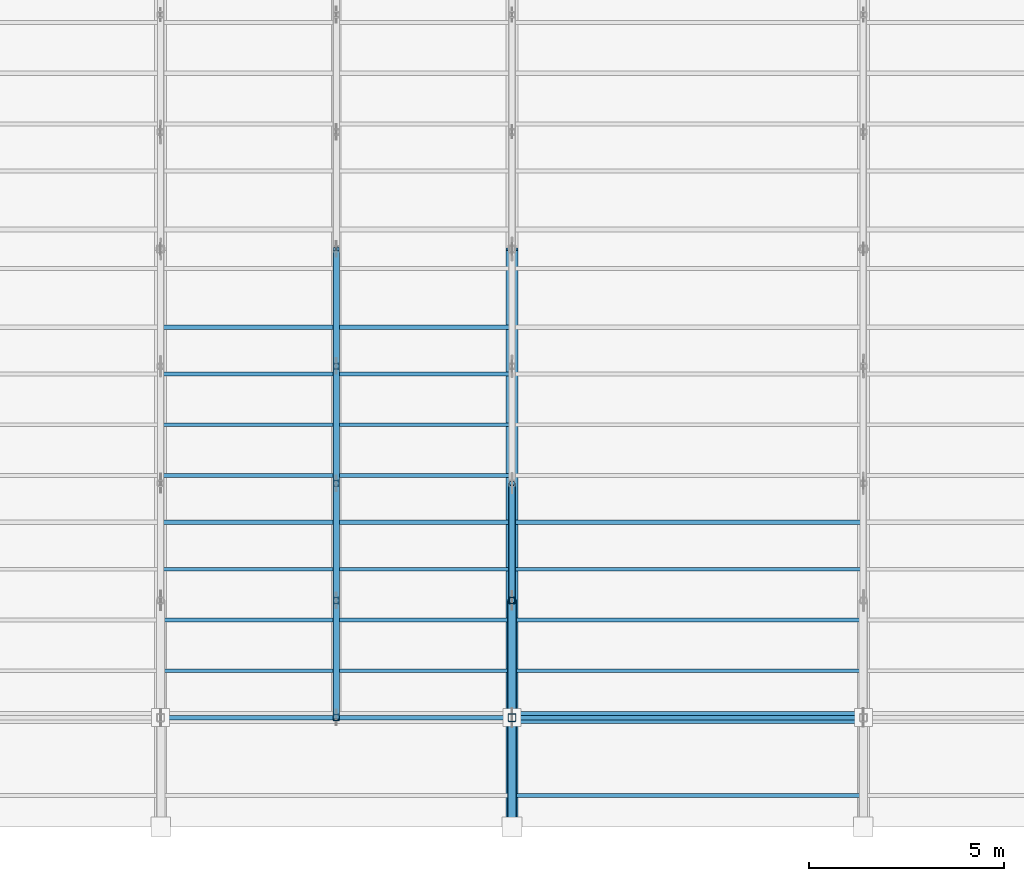
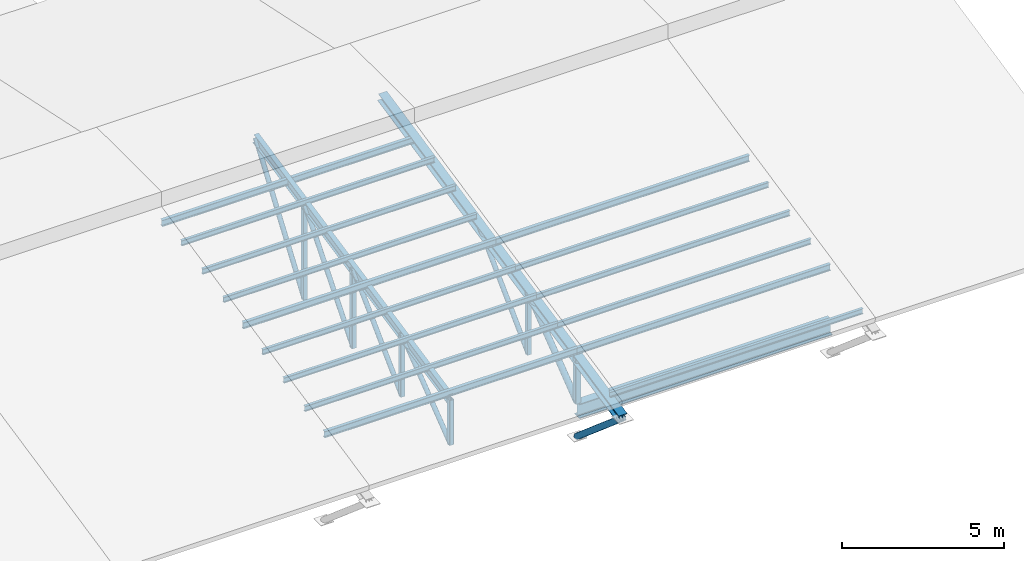
# One storey, part 21 of 43: 30 members, 1 beam.
"""IFC4 building model written with IfcOpenShell, lengths in metres."""

import ifcopenshell
import ifcopenshell.guid

model = None  # the IFC model being written
_history = None  # IfcOwnerHistory: only IFC2X3 demands one
_inside = {}  # id of a spatial element -> (the spatial element, [elements in it])
_under = {}  # id of a project, library or spatial element -> (it, [spatial elements below it])
_declared = {}  # id of a project -> (the project, [libraries it declares])
_typed = {}  # id of a type object -> (the type object, [elements of that type])
_made_of = {}  # id of a material, layer set ... -> (it, [elements and type objects made of it])


def new_model(schema):
    """Start an empty IFC model of exactly this schema.

    Asked for "IFC4X3", IfcOpenShell would pick the latest addendum, in which some entities
    have other attributes; the version numbers below select the first issue.
    IFC2X3 requires an IfcOwnerHistory on every rooted entity: one is made here for all.
    """
    global model, _history
    if schema == "IFC4X3":
        model = ifcopenshell.file(schema_version=(4, 3, 0, 0))
    else:
        model = ifcopenshell.file(schema=schema)
    _inside.clear()
    _under.clear()
    _declared.clear()
    _typed.clear()
    _made_of.clear()
    _history = None
    if model.schema == "IFC2X3":
        org = make("IfcOrganization", Name="unknown")
        user = make(
            "IfcPersonAndOrganization",
            ThePerson=make("IfcPerson", FamilyName="unknown"),
            TheOrganization=org,
        )
        app = make(
            "IfcApplication",
            ApplicationDeveloper=org,
            Version="unknown",
            ApplicationFullName="unknown",
            ApplicationIdentifier="unknown",
        )
        _history = make(
            "IfcOwnerHistory",
            OwningUser=user,
            OwningApplication=app,
            ChangeAction="ADDED",
            CreationDate=0,
        )
    return model


def make(cls, **values):
    """One entity of the class cls with the attributes given. An attribute that is None is left unset."""
    return model.create_entity(
        cls, **{name: value for name, value in values.items() if value is not None}
    )


def rooted(cls, **values):
    """An entity with a GlobalId (a new one), such as an element, a storey or a relation."""
    return make(cls, GlobalId=ifcopenshell.guid.new(), OwnerHistory=_history, **values)


def si_unit(unit_type, name, prefix=None):
    """IfcSIUnit, for example si_unit("LENGTHUNIT", "METRE", prefix="MILLI")."""
    return make("IfcSIUnit", UnitType=unit_type, Prefix=prefix, Name=name)


def assignment(units):
    """IfcUnitAssignment: the units of a project."""
    return None if units is None else make("IfcUnitAssignment", Units=units)


def point(xyz):
    """IfcCartesianPoint."""
    return None if xyz is None else make("IfcCartesianPoint", Coordinates=xyz)


def direction(xyz):
    """IfcDirection."""
    return None if xyz is None else make("IfcDirection", DirectionRatios=xyz)


def frame(location, z_axis=None, x_axis=None):
    """IfcAxis2Placement3D, a coordinate frame: its origin and axes. An axis left out is left unset."""
    return make(
        "IfcAxis2Placement3D",
        Location=point(location),
        Axis=direction(z_axis),
        RefDirection=direction(x_axis),
    )


def frame_2d(location, x_axis=None):
    """IfcAxis2Placement2D, a coordinate frame in the plane: its origin and x axis."""
    return make(
        "IfcAxis2Placement2D", Location=point(location), RefDirection=direction(x_axis)
    )


def origin():
    """The frame at (0, 0, 0) with its axes left unset."""
    return frame((0.0, 0.0, 0.0))


def origin_2d():
    """The frame at (0, 0) in the plane with its x axis left unset."""
    return frame_2d((0.0, 0.0))


def place(relative_to, where):
    """IfcLocalPlacement: puts the frame where relative to a parent placement (None: the world)."""
    return make(
        "IfcLocalPlacement", PlacementRelTo=relative_to, RelativePlacement=where
    )


def context(
    kind, dimensions, precision=None, world=None, true_north=None, identifier=None
):
    """IfcGeometricRepresentationContext, for example the 3D "Model" context."""
    return make(
        "IfcGeometricRepresentationContext",
        ContextIdentifier=identifier,
        ContextType=kind,
        CoordinateSpaceDimension=dimensions,
        Precision=precision,
        WorldCoordinateSystem=world,
        TrueNorth=true_north,
    )


def subcontext(parent, identifier, kind, view, scale=None):
    """IfcGeometricRepresentationSubContext, for example "Body" below "Model"."""
    return make(
        "IfcGeometricRepresentationSubContext",
        ContextIdentifier=identifier,
        ContextType=kind,
        ParentContext=parent,
        TargetScale=scale,
        TargetView=view,
    )


def project(units=None, contexts=None):
    """IfcProject with its units and contexts."""
    return rooted(
        "IfcProject",
        Name="project",
        RepresentationContexts=contexts,
        UnitsInContext=assignment(units),
    )


def spatial(cls, under=None, at=None, **own):
    """A site, building, storey or space (cls), placed at a placement, below another one or the project."""
    s = rooted(cls, ObjectPlacement=at, **own)
    if under is not None:
        _under.setdefault(under.id(), (under, []))[1].append(s)
    return s


def profile(cls, at=None, kind="AREA", **sizes):
    """A parametric profile (cls). Its sizes go by their IFC names, for example OverallWidth=200.0."""
    return make(cls, ProfileType=kind, Position=at, **sizes)


def hollow_rectangle(**sizes):
    """IfcRectangleHollowProfileDef."""
    return profile("IfcRectangleHollowProfileDef", **sizes)


def hollow_circle(**sizes):
    """IfcCircleHollowProfileDef."""
    return profile("IfcCircleHollowProfileDef", **sizes)


def i_section(**sizes):
    """IfcIShapeProfileDef."""
    return profile("IfcIShapeProfileDef", **sizes)


def extrude(swept, where, along, depth):
    """IfcExtrudedAreaSolid: the profile swept, set in the frame where, extruded along a direction by depth."""
    return make(
        "IfcExtrudedAreaSolid",
        SweptArea=swept,
        Position=where,
        ExtrudedDirection=direction(along),
        Depth=depth,
    )


def shape(context_of_items, identifier, shape_type, items):
    """IfcShapeRepresentation: the items that make up one representation, for example the "Body"."""
    return make(
        "IfcShapeRepresentation",
        ContextOfItems=context_of_items,
        RepresentationIdentifier=identifier,
        RepresentationType=shape_type,
        Items=items,
    )


def material(Name=None, Category=None):
    """IfcMaterial."""
    return make("IfcMaterial", Name=Name, Category=Category)


def material_profile(
    of_material, cross_section, Name=None, Category=None, Priority=None
):
    """IfcMaterialProfile: a cross section and its material."""
    return make(
        "IfcMaterialProfile",
        Name=Name,
        Material=of_material,
        Profile=cross_section,
        Priority=Priority,
        Category=Category,
    )


def profile_set(profiles, Name=None, composite=None):
    """IfcMaterialProfileSet."""
    return make(
        "IfcMaterialProfileSet",
        Name=Name,
        MaterialProfiles=profiles,
        CompositeProfile=composite,
    )


def made_of(thing, what):
    """Note that an element or type object is made of a material, layer set ...; save() writes the relation."""
    if what is not None:
        _made_of.setdefault(what.id(), (what, []))[1].append(thing)
    return thing


def type_object(cls, material=None, **own):
    """A type object (cls), such as IfcWallType, which elements share."""
    return made_of(rooted(cls, **own), material)


def element(
    cls,
    number,
    at=None,
    inside=None,
    cuts=None,
    type_object=None,
    material=None,
    context=None,
    identifier="Body",
    shape_type=None,
    held_by="IfcProductDefinitionShape",
    body=None,
    shapes=None,
    **own,
):
    """One element of the class cls, such as IfcWall. Its Tag is "e" and its number.

    at: its placement. inside: the storey or other place that contains it. cuts: it is an
    opening in that element (IfcRelVoidsElement). A single representation is given by context,
    identifier, shape_type and body (its items); several are given by shapes. held_by: the class
    of the entity that holds the representations. save() writes the other relations.
    """
    e = rooted(cls, Tag="e%d" % number, ObjectPlacement=at, **own)
    if body is not None:
        shapes = [shape(context, identifier, shape_type, body)]
    if shapes is not None:
        e.Representation = make(held_by, Representations=shapes)
    if inside is not None:
        _inside.setdefault(inside.id(), (inside, []))[1].append(e)
    if cuts is not None:
        rooted(
            "IfcRelVoidsElement", RelatingBuildingElement=cuts, RelatedOpeningElement=e
        )
    if type_object is not None:
        _typed.setdefault(type_object.id(), (type_object, []))[1].append(e)
    return made_of(e, material)


def aggregate(whole, parts):
    """IfcRelAggregates: a whole, such as a stair, and the parts it consists of."""
    return rooted("IfcRelAggregates", RelatingObject=whole, RelatedObjects=parts)


def save(model, path):
    """Write the relations noted so far, then the file.

    IfcRelAggregates (storeys below a building ...), IfcRelContainedInSpatialStructure (elements
    in a storey), IfcRelDefinesByType, IfcRelAssociatesMaterial and IfcRelDeclares: one each for
    every whole, place, type object, material and project.
    """
    for whole, parts in _under.values():
        aggregate(whole, parts)
    for where, things in _inside.values():
        rooted(
            "IfcRelContainedInSpatialStructure",
            RelatedElements=things,
            RelatingStructure=where,
        )
    for kind, things in _typed.values():
        rooted("IfcRelDefinesByType", RelatedObjects=things, RelatingType=kind)
    for what, things in _made_of.values():
        rooted("IfcRelAssociatesMaterial", RelatedObjects=things, RelatingMaterial=what)
    for by, libraries in _declared.values():
        rooted("IfcRelDeclares", RelatingContext=by, RelatedDefinitions=libraries)
    model.write(path)


model = new_model("IFC4")

# Units and contexts
model_context = context("Model", 3, precision=1e-05, world=origin(), true_north=direction((0.0, 1.0)))
body_context = subcontext(model_context, "Body", "Model", "MODEL_VIEW")
ifc_project = project(units=[si_unit("LENGTHUNIT", "METRE"), si_unit("AREAUNIT", "SQUARE_METRE"), si_unit("VOLUMEUNIT", "CUBIC_METRE"), si_unit("PLANEANGLEUNIT", "RADIAN"), si_unit("MASSUNIT", "GRAM", prefix="KILO")], contexts=[model_context])

# Site, building, storey
site_placement = place(None, origin())
site = spatial("IfcSite", under=ifc_project, at=site_placement, CompositionType="ELEMENT")
building_placement = place(site_placement, origin())
building = spatial("IfcBuilding", under=site, at=building_placement, Name="Serraforn Aerial Cableway Station", CompositionType="ELEMENT")
storey_placement = place(building_placement, frame((0.0, 0.0, 18.300048828125)))
storey = spatial("IfcBuildingStorey", under=building, at=storey_placement, Name="RF", CompositionType="ELEMENT", Elevation=18.300048828125)

# Beam
ifc_material_1 = material(Name="Steel S355J2", Category="steel")
ifc_material_profile_1 = material_profile(ifc_material_1, i_section(OverallWidth=0.300048828125, OverallDepth=0.550048828125, WebThickness=0.014892578125, FlangeThickness=0.029052734375, FilletRadius=0.027099609375, at=origin_2d()), Name="HEB 550")
ifc_profile_set_1 = profile_set([ifc_material_profile_1], Name="Steel S355J2")
beam_type = type_object("IfcBeamType", Name="BM-ST-HEB550", PredefinedType="USERDEFINED", material=ifc_profile_set_1)
beam_placement = place(storey_placement, frame((72.60009765625, 18.0, -1.625), z_axis=(1.0, 0.0, 0.0), x_axis=(0.0, 1.0, 0.0)))
element("IfcBeam", 1, at=beam_placement, inside=storey, type_object=beam_type, Name="Boarding Hall Eave Girder S-6", ObjectType="GIRDER", PredefinedType="USERDEFINED", context=body_context, shape_type="SweptSolid", body=[
    extrude(i_section(OverallWidth=0.300048828125, OverallDepth=0.550048828125, WebThickness=0.014892578125, FlangeThickness=0.029052734375, FilletRadius=0.027099609375, at=origin_2d()), origin(), (0.0, 0.0, 1.0), 9.0),
])

# Members
ifc_material_profile_2 = material_profile(ifc_material_1, hollow_circle(Radius=0.084228515625, WallThickness=0.008056640625, at=origin_2d()), Name="CHS 168.3x8.0")
ifc_profile_set_2 = profile_set([ifc_material_profile_2], Name="Steel S355J2")
member_type_1 = type_object("IfcMemberType", Name="MEM-DG-CHS168", PredefinedType="BRACE", material=ifc_profile_set_2)
member_1_placement = place(storey_placement, frame((72.60009765625, 21.0, -1.35009765625), z_axis=(0.0, 0.71294245933, 0.701222539344), x_axis=(-1.0, 0.0, 0.0)))
element("IfcMember", 2, at=member_1_placement, inside=storey, type_object=member_type_1, Name="Roof Truss TR-06 Diagonal 2", PredefinedType="BRACE", context=body_context, shape_type="SweptSolid", body=[
    extrude(hollow_circle(Radius=0.084228515625, WallThickness=0.008056640625, at=origin_2d()), origin(), (0.0, 0.0, 1.0), 4.2080078125),
])
member_2_placement = place(storey_placement, frame((68.10009765625, 18.0, -1.35009765625), z_axis=(0.0, 0.791947867333, 0.610588712168), x_axis=(-1.0, 0.0, 0.0)))
element("IfcMember", 3, at=member_2_placement, inside=storey, type_object=member_type_1, Name="Intermediate Truss TRM-05 Diagonal 1", PredefinedType="BRACE", context=body_context, shape_type="SweptSolid", body=[
    extrude(hollow_circle(Radius=0.084228515625, WallThickness=0.008056640625, at=origin_2d()), origin(), (0.0, 0.0, 1.0), 3.7880859375),
])
member_3_placement = place(storey_placement, frame((68.10009765625, 21.0, -1.35009765625), z_axis=(0.0, 0.71294245933, 0.701222539344), x_axis=(-1.0, 0.0, 0.0)))
element("IfcMember", 4, at=member_3_placement, inside=storey, type_object=member_type_1, Name="Intermediate Truss TRM-05 Diagonal 2", PredefinedType="BRACE", context=body_context, shape_type="SweptSolid", body=[
    extrude(hollow_circle(Radius=0.084228515625, WallThickness=0.008056640625, at=origin_2d()), origin(), (0.0, 0.0, 1.0), 4.2080078125),
])
member_4_placement = place(storey_placement, frame((68.10009765625, 24.0, -1.35009765625), z_axis=(0.0, 0.641405529785, 0.767202024477), x_axis=(-1.0, 0.0, 0.0)))
element("IfcMember", 5, at=member_4_placement, inside=storey, type_object=member_type_1, Name="Intermediate Truss TRM-05 Diagonal 3", PredefinedType="BRACE", context=body_context, shape_type="SweptSolid", body=[
    extrude(hollow_circle(Radius=0.084228515625, WallThickness=0.008056640625, at=origin_2d()), origin(), (0.0, 0.0, 1.0), 4.67724609375),
])
member_5_placement = place(storey_placement, frame((68.10009765625, 27.0, -1.35009765625), z_axis=(0.0, 0.578856146563, 0.815429679118), x_axis=(-1.0, 0.0, 0.0)))
element("IfcMember", 6, at=member_5_placement, inside=storey, type_object=member_type_1, Name="Intermediate Truss TRM-05 Diagonal 4", PredefinedType="BRACE", context=body_context, shape_type="SweptSolid", body=[
    extrude(hollow_circle(Radius=0.084228515625, WallThickness=0.008056640625, at=origin_2d()), origin(), (0.0, 0.0, 1.0), 5.1826171875),
])
ifc_material_profile_3 = material_profile(ifc_material_1, hollow_circle(Radius=0.109619140625, WallThickness=0.010009765625, at=origin_2d()), Name="CHS 219.1x10.0")
ifc_profile_set_3 = profile_set([ifc_material_profile_3], Name="Steel S355J2")
member_type_2 = type_object("IfcMemberType", Name="MEM-DG-CHS219", PredefinedType="BRACE", material=ifc_profile_set_3)
member_6_placement = place(storey_placement, frame((72.60009765625, 18.0, -2.650146484375), z_axis=(0.0, -0.760584469832, 0.649238988548), x_axis=(1.0, 0.0, 0.0)))
element("IfcMember", 7, at=member_6_placement, inside=storey, type_object=member_type_2, Name="Roof Truss TR-06 Eave Knee Strut ES", PredefinedType="BRACE", context=body_context, shape_type="SweptSolid", body=[
    extrude(hollow_circle(Radius=0.109619140625, WallThickness=0.010009765625, at=origin_2d()), origin(), (0.0, 0.0, 1.0), 3.681396484375),
])
member_7_placement = place(storey_placement, frame((72.60009765625, 18.0, -1.35009765625), z_axis=(0.0, 0.791947867333, 0.610588712168), x_axis=(-1.0, 0.0, 0.0)))
element("IfcMember", 8, at=member_7_placement, inside=storey, type_object=member_type_2, Name="Roof Truss TR-06 Diagonal 1", PredefinedType="BRACE", context=body_context, shape_type="SweptSolid", body=[
    extrude(hollow_circle(Radius=0.109619140625, WallThickness=0.010009765625, at=origin_2d()), origin(), (0.0, 0.0, 1.0), 3.7880859375),
])
ifc_material_2 = material(Name="Steel S355JR", Category="steel")
ifc_material_profile_4 = material_profile(ifc_material_2, i_section(OverallWidth=0.10009765625, OverallDepth=0.199951171875, WebThickness=0.005615234375, FlangeThickness=0.008544921875, FilletRadius=0.011962890625, at=origin_2d()), Name="IPE 200")
ifc_profile_set_4 = profile_set([ifc_material_profile_4], Name="Steel S355JR")
member_type_3 = type_object("IfcMemberType", Name="MEM-PR-IPE200", PredefinedType="PURLIN", material=ifc_profile_set_4)
for number, where, z_axis, x_axis, name in (
    (9, (63.60009765625, 20.5, 1.1005859375), (1.0, 0.0, 0.0), (0.0, 1.0, 0.0), "Boarding Hall Purlin 5-3"),
    (10, (63.60009765625, 25.5, 2.163330078125), (1.0, 0.0, 0.0), (0.0, 1.0, 0.0), "Boarding Hall Purlin 5-5"),
    (11, (72.60009765625, 16.0, 0.14404296875), (1.0, 0.0, 0.0), (0.0, 1.0, 0.0), "Boarding Hall Purlin 6-1"),
    (12, (72.60009765625, 20.5, 1.1005859375), (1.0, 0.0, 0.0), (0.0, 1.0, 0.0), "Boarding Hall Purlin 6-3"),
    (13, (63.60009765625, 19.199951171875, 0.824462890625), (1.0, 0.0, 0.0), (0.0, 1.0, 0.0), "Boarding Hall Secondary Purlin 5-1"),
    (14, (63.60009765625, 21.800048828125, 1.376953125), (1.0, 0.0, 0.0), (0.0, 1.0, 0.0), "Boarding Hall Secondary Purlin 5-2"),
    (15, (63.60009765625, 24.199951171875, 1.88720703125), (1.0, 0.0, 0.0), (0.0, 1.0, 0.0), "Boarding Hall Secondary Purlin 5-3"),
    (16, (63.60009765625, 26.800048828125, 2.439697265625), (1.0, 0.0, 0.0), (0.0, 1.0, 0.0), "Boarding Hall Secondary Purlin 5-4"),
    (17, (72.60009765625, 19.199951171875, 0.824462890625), (1.0, 0.0, 0.0), (0.0, 1.0, 0.0), "Boarding Hall Secondary Purlin 6-1"),
    (18, (72.60009765625, 21.800048828125, 1.376953125), (1.0, 0.0, 0.0), (0.0, 1.0, 0.0), "Boarding Hall Secondary Purlin 6-2"),
):
    element("IfcMember", number, at=place(storey_placement, frame(where, z_axis=z_axis, x_axis=x_axis)), inside=storey, type_object=member_type_3, Name=name, PredefinedType="PURLIN", context=body_context, shape_type="SweptSolid", body=[
        extrude(i_section(OverallWidth=0.10009765625, OverallDepth=0.199951171875, WebThickness=0.005615234375, FlangeThickness=0.008544921875, FilletRadius=0.011962890625, at=origin_2d()), origin(), (0.0, 0.0, 1.0), 9.0),
    ])
ifc_material_profile_5 = material_profile(ifc_material_2, i_section(OverallWidth=0.1201171875, OverallDepth=0.239990234375, WebThickness=0.006103515625, FlangeThickness=0.009765625, FilletRadius=0.014892578125, at=origin_2d()), Name="IPE 240")
ifc_profile_set_5 = profile_set([ifc_material_profile_5], Name="Steel S355JR")
member_type_4 = type_object("IfcMemberType", Name="MEM-PR-IPE240", PredefinedType="PURLIN", material=ifc_profile_set_5)
for number, where, z_axis, x_axis, name in (
    (19, (63.60009765625, 18.0, 0.58935546875), (1.0, 0.0, 0.0), (0.0, 1.0, 0.0), "Boarding Hall Purlin 5-2"),
    (20, (63.60009765625, 23.0, 1.652099609375), (1.0, 0.0, 0.0), (0.0, 1.0, 0.0), "Boarding Hall Purlin 5-4"),
    (21, (63.60009765625, 28.0, 2.4658203125), (1.0, 0.0, 0.0), (0.0, 1.0, 0.0), "Boarding Hall Purlin 5-6"),
    (22, (72.60009765625, 18.0, 0.58935546875), (1.0, 0.0, 0.0), (0.0, 1.0, 0.0), "Boarding Hall Purlin 6-2"),
    (23, (72.60009765625, 23.0, 1.652099609375), (1.0, 0.0, 0.0), (0.0, 1.0, 0.0), "Boarding Hall Purlin 6-4"),
):
    element("IfcMember", number, at=place(storey_placement, frame(where, z_axis=z_axis, x_axis=x_axis)), inside=storey, type_object=member_type_4, Name=name, PredefinedType="PURLIN", context=body_context, shape_type="SweptSolid", body=[
        extrude(i_section(OverallWidth=0.1201171875, OverallDepth=0.239990234375, WebThickness=0.006103515625, FlangeThickness=0.009765625, FilletRadius=0.014892578125, at=origin_2d()), origin(), (0.0, 0.0, 1.0), 9.0),
    ])
ifc_material_profile_6 = material_profile(ifc_material_1, i_section(OverallWidth=0.300048828125, OverallDepth=0.300048828125, WebThickness=0.010986328125, FlangeThickness=0.01904296875, FilletRadius=0.027099609375, at=origin_2d()), Name="HEB 300")
ifc_profile_set_6 = profile_set([ifc_material_profile_6], Name="Steel S355J2")
member_type_5 = type_object("IfcMemberType", Name="MEM-TC-HEB300", PredefinedType="CHORD", material=ifc_profile_set_6)
member_8_placement = place(storey_placement, frame((72.60009765625, 15.199951171875, -0.27001953125), z_axis=(0.0, 0.978145603362, 0.207921087493), x_axis=(-1.0, 0.0, 0.0)))
element("IfcMember", 24, at=member_8_placement, inside=storey, type_object=member_type_5, Name="Roof Truss TR-06 Top Chord 1", PredefinedType="CHORD", context=body_context, shape_type="SweptSolid", body=[
    extrude(i_section(OverallWidth=0.300048828125, OverallDepth=0.300048828125, WebThickness=0.010986328125, FlangeThickness=0.01904296875, FilletRadius=0.027099609375, at=origin_2d()), origin(), (0.0, 0.0, 1.0), 15.130615234375),
])
ifc_material_profile_7 = material_profile(ifc_material_1, i_section(OverallWidth=0.169921875, OverallDepth=0.360107421875, WebThickness=0.008056640625, FlangeThickness=0.0126953125, FilletRadius=0.01806640625, at=origin_2d()), Name="IPE 360")
ifc_profile_set_7 = profile_set([ifc_material_profile_7], Name="Steel S355J2")
member_type_6 = type_object("IfcMemberType", Name="MEM-TC-IPE360", PredefinedType="CHORD", material=ifc_profile_set_7)
member_9_placement = place(storey_placement, frame((68.10009765625, 18.0, 0.3251953125), z_axis=(0.0, 0.978145901394, 0.20791968542), x_axis=(-1.0, 0.0, 0.0)))
element("IfcMember", 25, at=member_9_placement, inside=storey, type_object=member_type_6, Name="Intermediate Truss TRM-05 Top Chord 1", PredefinedType="CHORD", context=body_context, shape_type="SweptSolid", body=[
    extrude(i_section(OverallWidth=0.169921875, OverallDepth=0.360107421875, WebThickness=0.008056640625, FlangeThickness=0.0126953125, FilletRadius=0.01806640625, at=origin_2d()), origin(), (0.0, 0.0, 1.0), 12.26806640625),
])
ifc_material_profile_8 = material_profile(ifc_material_1, hollow_rectangle(XDim=0.159912109375, YDim=0.159912109375, WallThickness=0.008056640625, InnerFilletRadius=0.008056640625, OuterFilletRadius=0.01611328125, at=origin_2d()), Name="SHS 160x160x8.0")
ifc_profile_set_8 = profile_set([ifc_material_profile_8], Name="Steel S355J2")
member_type_7 = type_object("IfcMemberType", Name="MEM-VP-SHS160", PredefinedType="STRUT", material=ifc_profile_set_8)
member_10_placement = place(storey_placement, frame((72.60009765625, 21.0, -1.360107421875), z_axis=(0.0, 0.0, 1.0), x_axis=(1.0, 0.0, 0.0)))
element("IfcMember", 26, at=member_10_placement, inside=storey, type_object=member_type_7, Name="Roof Truss TR-06 Vertical Post 2", PredefinedType="STRUT", context=body_context, shape_type="SweptSolid", body=[
    extrude(hollow_rectangle(XDim=0.159912109375, YDim=0.159912109375, WallThickness=0.008056640625, InnerFilletRadius=0.008056640625, OuterFilletRadius=0.01611328125, at=origin_2d()), origin(), (0.0, 0.0, 1.0), 2.3330078125),
])
member_11_placement = place(storey_placement, frame((68.10009765625, 18.0, -1.360107421875), z_axis=(0.0, 0.0, 1.0), x_axis=(1.0, 0.0, 0.0)))
element("IfcMember", 27, at=member_11_placement, inside=storey, type_object=member_type_7, Name="Intermediate Truss TRM-05 Post 1", PredefinedType="STRUT", context=body_context, shape_type="SweptSolid", body=[
    extrude(hollow_rectangle(XDim=0.159912109375, YDim=0.159912109375, WallThickness=0.008056640625, InnerFilletRadius=0.008056640625, OuterFilletRadius=0.01611328125, at=origin_2d()), origin(), (0.0, 0.0, 1.0), 1.6953125),
])
member_12_placement = place(storey_placement, frame((68.10009765625, 21.0, -1.360107421875), z_axis=(0.0, 0.0, 1.0), x_axis=(1.0, 0.0, 0.0)))
element("IfcMember", 28, at=member_12_placement, inside=storey, type_object=member_type_7, Name="Intermediate Truss TRM-05 Post 2", PredefinedType="STRUT", context=body_context, shape_type="SweptSolid", body=[
    extrude(hollow_rectangle(XDim=0.159912109375, YDim=0.159912109375, WallThickness=0.008056640625, InnerFilletRadius=0.008056640625, OuterFilletRadius=0.01611328125, at=origin_2d()), origin(), (0.0, 0.0, 1.0), 2.3330078125),
])
member_13_placement = place(storey_placement, frame((68.10009765625, 24.0, -1.360107421875), z_axis=(0.0, 0.0, 1.0), x_axis=(1.0, 0.0, 0.0)))
element("IfcMember", 29, at=member_13_placement, inside=storey, type_object=member_type_7, Name="Intermediate Truss TRM-05 Post 3", PredefinedType="STRUT", context=body_context, shape_type="SweptSolid", body=[
    extrude(hollow_rectangle(XDim=0.159912109375, YDim=0.159912109375, WallThickness=0.008056640625, InnerFilletRadius=0.008056640625, OuterFilletRadius=0.01611328125, at=origin_2d()), origin(), (0.0, 0.0, 1.0), 2.970703125),
])
member_14_placement = place(storey_placement, frame((68.10009765625, 27.0, -1.360107421875), z_axis=(0.0, 0.0, 1.0), x_axis=(1.0, 0.0, 0.0)))
element("IfcMember", 30, at=member_14_placement, inside=storey, type_object=member_type_7, Name="Intermediate Truss TRM-05 Post 4", PredefinedType="STRUT", context=body_context, shape_type="SweptSolid", body=[
    extrude(hollow_rectangle(XDim=0.159912109375, YDim=0.159912109375, WallThickness=0.008056640625, InnerFilletRadius=0.008056640625, OuterFilletRadius=0.01611328125, at=origin_2d()), origin(), (0.0, 0.0, 1.0), 3.6083984375),
])
ifc_material_profile_9 = material_profile(ifc_material_1, hollow_rectangle(XDim=0.199951171875, YDim=0.199951171875, WallThickness=0.010009765625, InnerFilletRadius=0.010009765625, OuterFilletRadius=0.02001953125, at=origin_2d()), Name="SHS 200x200x10.0")
ifc_profile_set_9 = profile_set([ifc_material_profile_9], Name="Steel S355J2")
member_type_8 = type_object("IfcMemberType", Name="MEM-VP-SHS200", PredefinedType="STRUT", material=ifc_profile_set_9)
member_15_placement = place(storey_placement, frame((72.60009765625, 18.0, -1.360107421875), z_axis=(0.0, 0.0, 1.0), x_axis=(1.0, 0.0, 0.0)))
element("IfcMember", 31, at=member_15_placement, inside=storey, type_object=member_type_8, Name="Roof Truss TR-06 Vertical Post 1", PredefinedType="STRUT", context=body_context, shape_type="SweptSolid", body=[
    extrude(hollow_rectangle(XDim=0.199951171875, YDim=0.199951171875, WallThickness=0.010009765625, InnerFilletRadius=0.010009765625, OuterFilletRadius=0.02001953125, at=origin_2d()), origin(), (0.0, 0.0, 1.0), 1.6953125),
])

save(model, "model.ifc")
